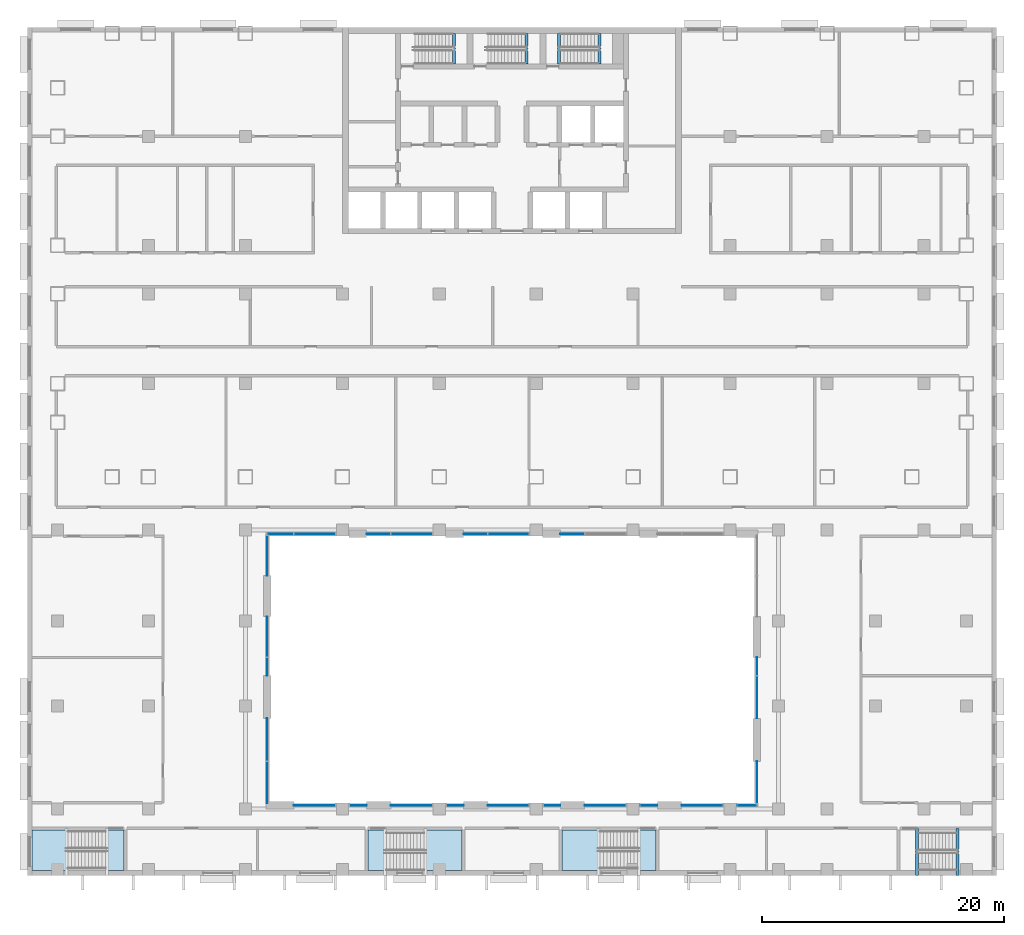
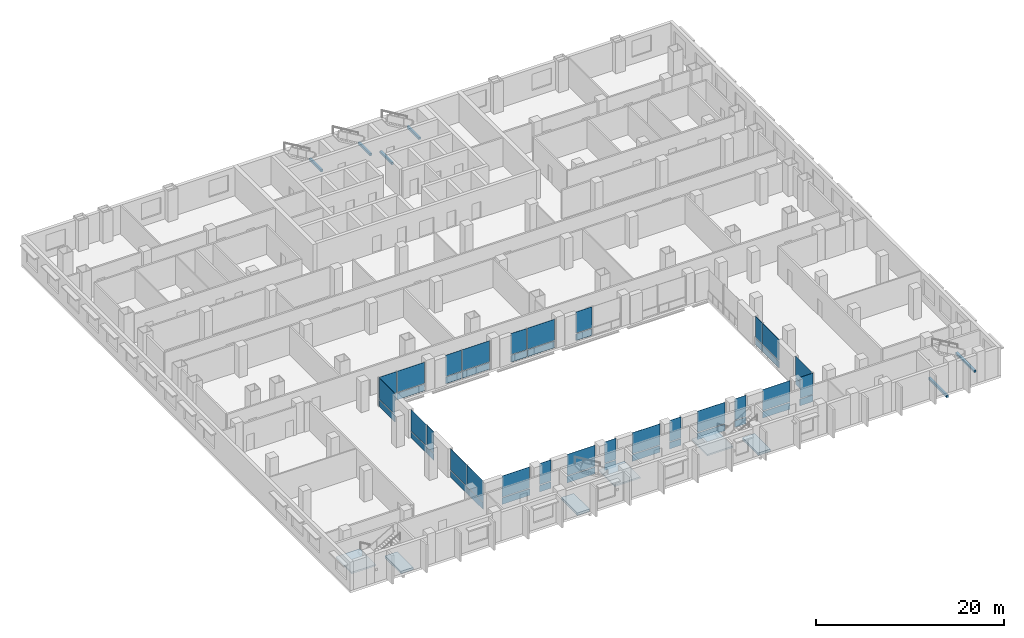
# One storey, part 5 of 25: 50 plates, 6 beams, 6 slabs, 22 elements without a shape of their own.
"""IFC4 building model written with IfcOpenShell, lengths in metres."""

import ifcopenshell
import ifcopenshell.guid

model = None  # the IFC model being written
_history = None  # IfcOwnerHistory: only IFC2X3 demands one
_inside = {}  # id of a spatial element -> (the spatial element, [elements in it])
_under = {}  # id of a project, library or spatial element -> (it, [spatial elements below it])
_declared = {}  # id of a project -> (the project, [libraries it declares])
_typed = {}  # id of a type object -> (the type object, [elements of that type])
_made_of = {}  # id of a material, layer set ... -> (it, [elements and type objects made of it])


def new_model(schema):
    """Start an empty IFC model of exactly this schema.

    Asked for "IFC4X3", IfcOpenShell would pick the latest addendum, in which some entities
    have other attributes; the version numbers below select the first issue.
    IFC2X3 requires an IfcOwnerHistory on every rooted entity: one is made here for all.
    """
    global model, _history
    if schema == "IFC4X3":
        model = ifcopenshell.file(schema_version=(4, 3, 0, 0))
    else:
        model = ifcopenshell.file(schema=schema)
    _inside.clear()
    _under.clear()
    _declared.clear()
    _typed.clear()
    _made_of.clear()
    _history = None
    if model.schema == "IFC2X3":
        org = make("IfcOrganization", Name="unknown")
        user = make(
            "IfcPersonAndOrganization",
            ThePerson=make("IfcPerson", FamilyName="unknown"),
            TheOrganization=org,
        )
        app = make(
            "IfcApplication",
            ApplicationDeveloper=org,
            Version="unknown",
            ApplicationFullName="unknown",
            ApplicationIdentifier="unknown",
        )
        _history = make(
            "IfcOwnerHistory",
            OwningUser=user,
            OwningApplication=app,
            ChangeAction="ADDED",
            CreationDate=0,
        )
    return model


def make(cls, **values):
    """One entity of the class cls with the attributes given. An attribute that is None is left unset."""
    return model.create_entity(
        cls, **{name: value for name, value in values.items() if value is not None}
    )


def rooted(cls, **values):
    """An entity with a GlobalId (a new one), such as an element, a storey or a relation."""
    return make(cls, GlobalId=ifcopenshell.guid.new(), OwnerHistory=_history, **values)


def si_unit(unit_type, name, prefix=None):
    """IfcSIUnit, for example si_unit("LENGTHUNIT", "METRE", prefix="MILLI")."""
    return make("IfcSIUnit", UnitType=unit_type, Prefix=prefix, Name=name)


def assignment(units):
    """IfcUnitAssignment: the units of a project."""
    return None if units is None else make("IfcUnitAssignment", Units=units)


def point(xyz):
    """IfcCartesianPoint."""
    return None if xyz is None else make("IfcCartesianPoint", Coordinates=xyz)


def direction(xyz):
    """IfcDirection."""
    return None if xyz is None else make("IfcDirection", DirectionRatios=xyz)


def frame(location, z_axis=None, x_axis=None):
    """IfcAxis2Placement3D, a coordinate frame: its origin and axes. An axis left out is left unset."""
    return make(
        "IfcAxis2Placement3D",
        Location=point(location),
        Axis=direction(z_axis),
        RefDirection=direction(x_axis),
    )


def frame_2d(location, x_axis=None):
    """IfcAxis2Placement2D, a coordinate frame in the plane: its origin and x axis."""
    return make(
        "IfcAxis2Placement2D", Location=point(location), RefDirection=direction(x_axis)
    )


def origin():
    """The frame at (0, 0, 0) with its axes left unset."""
    return frame((0.0, 0.0, 0.0))


def origin_2d():
    """The frame at (0, 0) in the plane with its x axis left unset."""
    return frame_2d((0.0, 0.0))


def place(relative_to, where):
    """IfcLocalPlacement: puts the frame where relative to a parent placement (None: the world)."""
    return make(
        "IfcLocalPlacement", PlacementRelTo=relative_to, RelativePlacement=where
    )


def context(
    kind, dimensions, precision=None, world=None, true_north=None, identifier=None
):
    """IfcGeometricRepresentationContext, for example the 3D "Model" context."""
    return make(
        "IfcGeometricRepresentationContext",
        ContextIdentifier=identifier,
        ContextType=kind,
        CoordinateSpaceDimension=dimensions,
        Precision=precision,
        WorldCoordinateSystem=world,
        TrueNorth=true_north,
    )


def subcontext(parent, identifier, kind, view, scale=None):
    """IfcGeometricRepresentationSubContext, for example "Body" below "Model"."""
    return make(
        "IfcGeometricRepresentationSubContext",
        ContextIdentifier=identifier,
        ContextType=kind,
        ParentContext=parent,
        TargetScale=scale,
        TargetView=view,
    )


def project(units=None, contexts=None):
    """IfcProject with its units and contexts."""
    return rooted(
        "IfcProject",
        Name="project",
        RepresentationContexts=contexts,
        UnitsInContext=assignment(units),
    )


def spatial(cls, under=None, at=None, **own):
    """A site, building, storey or space (cls), placed at a placement, below another one or the project."""
    s = rooted(cls, ObjectPlacement=at, **own)
    if under is not None:
        _under.setdefault(under.id(), (under, []))[1].append(s)
    return s


def polyline(points):
    """IfcPolyline through the points."""
    return make("IfcPolyline", Points=[point(p) for p in points])


def profile(cls, at=None, kind="AREA", **sizes):
    """A parametric profile (cls). Its sizes go by their IFC names, for example OverallWidth=200.0."""
    return make(cls, ProfileType=kind, Position=at, **sizes)


def rectangle(**sizes):
    """IfcRectangleProfileDef."""
    return profile("IfcRectangleProfileDef", **sizes)


def outline(outer, holes=None, kind="AREA"):
    """IfcArbitraryClosedProfileDef: a profile drawn as a closed curve; with holes, ...WithVoids."""
    if holes is None:
        return make("IfcArbitraryClosedProfileDef", ProfileType=kind, OuterCurve=outer)
    return make(
        "IfcArbitraryProfileDefWithVoids",
        ProfileType=kind,
        OuterCurve=outer,
        InnerCurves=holes,
    )


def extrude(swept, where, along, depth):
    """IfcExtrudedAreaSolid: the profile swept, set in the frame where, extruded along a direction by depth."""
    return make(
        "IfcExtrudedAreaSolid",
        SweptArea=swept,
        Position=where,
        ExtrudedDirection=direction(along),
        Depth=depth,
    )


def shape(context_of_items, identifier, shape_type, items):
    """IfcShapeRepresentation: the items that make up one representation, for example the "Body"."""
    return make(
        "IfcShapeRepresentation",
        ContextOfItems=context_of_items,
        RepresentationIdentifier=identifier,
        RepresentationType=shape_type,
        Items=items,
    )


def material(Name=None, Category=None):
    """IfcMaterial."""
    return make("IfcMaterial", Name=Name, Category=Category)


def layer(
    of_material, thickness, ventilated=None, Name=None, Category=None, Priority=None
):
    """IfcMaterialLayer: one layer of a wall or slab, of a material (None: an air gap)."""
    return make(
        "IfcMaterialLayer",
        Material=of_material,
        LayerThickness=thickness,
        IsVentilated=ventilated,
        Name=Name,
        Category=Category,
        Priority=Priority,
    )


def layer_set(layers, Name=None):
    """IfcMaterialLayerSet."""
    return make("IfcMaterialLayerSet", MaterialLayers=layers, LayerSetName=Name)


def material_profile(
    of_material, cross_section, Name=None, Category=None, Priority=None
):
    """IfcMaterialProfile: a cross section and its material."""
    return make(
        "IfcMaterialProfile",
        Name=Name,
        Material=of_material,
        Profile=cross_section,
        Priority=Priority,
        Category=Category,
    )


def profile_set(profiles, Name=None, composite=None):
    """IfcMaterialProfileSet."""
    return make(
        "IfcMaterialProfileSet",
        Name=Name,
        MaterialProfiles=profiles,
        CompositeProfile=composite,
    )


def made_of(thing, what):
    """Note that an element or type object is made of a material, layer set ...; save() writes the relation."""
    if what is not None:
        _made_of.setdefault(what.id(), (what, []))[1].append(thing)
    return thing


def type_object(cls, material=None, **own):
    """A type object (cls), such as IfcWallType, which elements share."""
    return made_of(rooted(cls, **own), material)


def element(
    cls,
    number,
    at=None,
    inside=None,
    cuts=None,
    type_object=None,
    material=None,
    context=None,
    identifier="Body",
    shape_type=None,
    held_by="IfcProductDefinitionShape",
    body=None,
    shapes=None,
    **own,
):
    """One element of the class cls, such as IfcWall. Its Tag is "e" and its number.

    at: its placement. inside: the storey or other place that contains it. cuts: it is an
    opening in that element (IfcRelVoidsElement). A single representation is given by context,
    identifier, shape_type and body (its items); several are given by shapes. held_by: the class
    of the entity that holds the representations. save() writes the other relations.
    """
    e = rooted(cls, Tag="e%d" % number, ObjectPlacement=at, **own)
    if body is not None:
        shapes = [shape(context, identifier, shape_type, body)]
    if shapes is not None:
        e.Representation = make(held_by, Representations=shapes)
    if inside is not None:
        _inside.setdefault(inside.id(), (inside, []))[1].append(e)
    if cuts is not None:
        rooted(
            "IfcRelVoidsElement", RelatingBuildingElement=cuts, RelatedOpeningElement=e
        )
    if type_object is not None:
        _typed.setdefault(type_object.id(), (type_object, []))[1].append(e)
    return made_of(e, material)


def aggregate(whole, parts):
    """IfcRelAggregates: a whole, such as a stair, and the parts it consists of."""
    return rooted("IfcRelAggregates", RelatingObject=whole, RelatedObjects=parts)


def save(model, path):
    """Write the relations noted so far, then the file.

    IfcRelAggregates (storeys below a building ...), IfcRelContainedInSpatialStructure (elements
    in a storey), IfcRelDefinesByType, IfcRelAssociatesMaterial and IfcRelDeclares: one each for
    every whole, place, type object, material and project.
    """
    for whole, parts in _under.values():
        aggregate(whole, parts)
    for where, things in _inside.values():
        rooted(
            "IfcRelContainedInSpatialStructure",
            RelatedElements=things,
            RelatingStructure=where,
        )
    for kind, things in _typed.values():
        rooted("IfcRelDefinesByType", RelatedObjects=things, RelatingType=kind)
    for what, things in _made_of.values():
        rooted("IfcRelAssociatesMaterial", RelatedObjects=things, RelatingMaterial=what)
    for by, libraries in _declared.values():
        rooted("IfcRelDeclares", RelatingContext=by, RelatedDefinitions=libraries)
    model.write(path)


model = new_model("IFC4")

# Units and contexts
model_context = context("Model", 3, precision=1e-05, world=origin(), true_north=direction((0.0, 1.0)))
body_context = subcontext(model_context, "Body", "Model", "MODEL_VIEW")
ifc_project = project(units=[si_unit("LENGTHUNIT", "METRE"), si_unit("AREAUNIT", "SQUARE_METRE"), si_unit("VOLUMEUNIT", "CUBIC_METRE"), si_unit("PLANEANGLEUNIT", "RADIAN"), si_unit("MASSUNIT", "GRAM", prefix="KILO")], contexts=[model_context])

# Site, building, storey
site_placement = place(None, origin())
site = spatial("IfcSite", under=ifc_project, at=site_placement, CompositionType="ELEMENT")
building_placement = place(site_placement, origin())
building = spatial("IfcBuilding", under=site, at=building_placement, Name="Vidyagriha Tower", CompositionType="ELEMENT")
storey_placement = place(building_placement, frame((0.0, 0.0, 18.0)))
storey = spatial("IfcBuildingStorey", under=building, at=storey_placement, Name="L04", CompositionType="ELEMENT", Elevation=18.0)

# Beams
ifc_material_1 = material(Name="Concrete C40/50", Category="concrete")
ifc_material_profile = material_profile(ifc_material_1, rectangle(XDim=0.25, YDim=0.300048828125, at=origin_2d()), Name="Stair landing bearing beam 250x300")
ifc_profile_set = profile_set([ifc_material_profile], Name="Concrete C40/50")
beam_type = type_object("IfcBeamType", Name="Stair landing bearing beam 250x300", PredefinedType="BEAM", material=ifc_profile_set)
for number, where, z_axis, x_axis, name in (
    (1, (3.875, 16.949951171875, -0.449951171875), (0.0, 1.0, 0.0), (-1.0, 0.0, 0.0), "ST3 floor landing bearing beam L04"),
    (2, (-4.794921875, 16.949951171875, 1.64990234375), (0.0, 1.0, 0.0), (-1.0, 0.0, 0.0), "ST1 landing bearing beam L04"),
    (3, (1.205078125, 16.949951171875, 1.64990234375), (0.0, 1.0, 0.0), (-1.0, 0.0, 0.0), "ST2 landing bearing beam L04"),
    (4, (7.205078125, 16.949951171875, 1.64990234375), (0.0, 1.0, 0.0), (-1.0, 0.0, 0.0), "ST3 landing bearing beam L04"),
):
    element("IfcBeam", number, at=place(storey_placement, frame(where, z_axis=z_axis, x_axis=x_axis)), inside=storey, type_object=beam_type, Name=name, PredefinedType="BEAM", context=body_context, shape_type="SweptSolid", body=[
        extrude(rectangle(XDim=0.25, YDim=0.300048828125, at=origin_2d()), origin(), (0.0, 0.0, 1.0), 2.550048828125),
    ])
for number, where, z_axis, x_axis, name in (
    (5, (33.419921875, -50.0, -0.449951171875), (0.0, 1.0, 0.0), (-1.0, 0.0, 0.0), "PS2 floor landing bearing beam L04"),
    (6, (36.760009765625, -50.0, 1.64990234375), (0.0, 1.0, 0.0), (-1.0, 0.0, 0.0), "PS2 landing bearing beam L04"),
):
    element("IfcBeam", number, at=place(storey_placement, frame(where, z_axis=z_axis, x_axis=x_axis)), inside=storey, type_object=beam_type, Name=name, PredefinedType="BEAM", context=body_context, shape_type="SweptSolid", body=[
        extrude(rectangle(XDim=0.25, YDim=0.300048828125, at=origin_2d()), origin(), (0.0, 0.0, 1.0), 3.89990234375),
    ])

# Curtain wall, plate
ifc_material_2 = material(Name="Aluminium and glass curtain wall", Category="aluminium")
curtain_wall_type = type_object("IfcCurtainWallType", Name="Atrium screen curtain wall", PredefinedType="USERDEFINED", material=ifc_material_2)
curtain_wall_1_placement = place(storey_placement, origin())
curtain_wall_1 = element("IfcCurtainWall", 7, at=curtain_wall_1_placement, inside=storey, type_object=curtain_wall_type, Name="CW6 atrium screen", ObjectType="UNITISED", PredefinedType="USERDEFINED")
ifc_material_3 = material(Name="Glass dark ceramic-fritted spandrel", Category="glass")
ifc_layer_1 = layer(ifc_material_3, 0.0400390625)
ifc_layer_set_1 = layer_set([ifc_layer_1], Name="Glass dark ceramic-fritted spandrel")
plate_type_1 = type_object("IfcPlateType", Name="Ceramic-fritted spandrel panel", PredefinedType="CURTAIN_PANEL", material=ifc_layer_set_1)
plate_1_placement = place(storey_placement, frame((19.405029296875, -44.199951171875, 0.0), z_axis=(0.0, 0.0, 1.0), x_axis=(-1.0, 0.0, 0.0)))
plate_1 = element("IfcPlate", 8, at=plate_1_placement, type_object=plate_type_1, Name="CW6 panel 1.1", PredefinedType="CURTAIN_PANEL", context=body_context, shape_type="SweptSolid", body=[
    extrude(rectangle(XDim=1.610107421875, YDim=0.0400390625, at=origin_2d()), origin(), (0.0, 0.0, 1.0), 0.85009765625),
])

curtain_wall_2_placement = place(storey_placement, origin())
curtain_wall_2 = element("IfcCurtainWall", 9, at=curtain_wall_2_placement, inside=storey, type_object=curtain_wall_type, Name="CW6 atrium screen", ObjectType="UNITISED", PredefinedType="USERDEFINED")
plate_2_placement = place(storey_placement, frame((15.699951171875, -44.199951171875, 0.0), z_axis=(0.0, 0.0, 1.0), x_axis=(-1.0, 0.0, 0.0)))
plate_2 = element("IfcPlate", 10, at=plate_2_placement, type_object=plate_type_1, Name="CW6 panel 1.1", PredefinedType="CURTAIN_PANEL", context=body_context, shape_type="SweptSolid", body=[
    extrude(rectangle(XDim=3.39990234375, YDim=0.0400390625, at=origin_2d()), origin(), (0.0, 0.0, 1.0), 0.85009765625),
])

curtain_wall_3_placement = place(storey_placement, origin())
curtain_wall_3 = element("IfcCurtainWall", 11, at=curtain_wall_3_placement, inside=storey, type_object=curtain_wall_type, Name="CW6 atrium screen", ObjectType="UNITISED", PredefinedType="USERDEFINED")
plate_3_placement = place(storey_placement, frame((11.300048828125, -44.199951171875, 0.0), z_axis=(0.0, 0.0, 1.0), x_axis=(-1.0, 0.0, 0.0)))
plate_3 = element("IfcPlate", 12, at=plate_3_placement, type_object=plate_type_1, Name="CW6 panel 1.1", PredefinedType="CURTAIN_PANEL", context=body_context, shape_type="SweptSolid", body=[
    extrude(rectangle(XDim=1.39990234375, YDim=0.0400390625, at=origin_2d()), origin(), (0.0, 0.0, 1.0), 0.85009765625),
])

curtain_wall_4_placement = place(storey_placement, origin())
curtain_wall_4 = element("IfcCurtainWall", 13, at=curtain_wall_4_placement, inside=storey, type_object=curtain_wall_type, Name="CW6 atrium screen", ObjectType="UNITISED", PredefinedType="USERDEFINED")
plate_4_placement = place(storey_placement, frame((7.699951171875, -44.199951171875, 0.0), z_axis=(0.0, 0.0, 1.0), x_axis=(-1.0, 0.0, 0.0)))
plate_4 = element("IfcPlate", 14, at=plate_4_placement, type_object=plate_type_1, Name="CW6 panel 1.1", PredefinedType="CURTAIN_PANEL", context=body_context, shape_type="SweptSolid", body=[
    extrude(rectangle(XDim=3.39990234375, YDim=0.0400390625, at=origin_2d()), origin(), (0.0, 0.0, 1.0), 0.85009765625),
])

curtain_wall_5_placement = place(storey_placement, origin())
curtain_wall_5 = element("IfcCurtainWall", 15, at=curtain_wall_5_placement, inside=storey, type_object=curtain_wall_type, Name="CW6 atrium screen", ObjectType="UNITISED", PredefinedType="USERDEFINED")
plate_5_placement = place(storey_placement, frame((3.300048828125, -44.199951171875, 0.0), z_axis=(0.0, 0.0, 1.0), x_axis=(-1.0, 0.0, 0.0)))
plate_5 = element("IfcPlate", 16, at=plate_5_placement, type_object=plate_type_1, Name="CW6 panel 1.1", PredefinedType="CURTAIN_PANEL", context=body_context, shape_type="SweptSolid", body=[
    extrude(rectangle(XDim=1.39990234375, YDim=0.0400390625, at=origin_2d()), origin(), (0.0, 0.0, 1.0), 0.85009765625),
])

curtain_wall_6_placement = place(storey_placement, origin())
curtain_wall_6 = element("IfcCurtainWall", 17, at=curtain_wall_6_placement, inside=storey, type_object=curtain_wall_type, Name="CW6 atrium screen", ObjectType="UNITISED", PredefinedType="USERDEFINED")
plate_6_placement = place(storey_placement, frame((-0.300048828125, -44.199951171875, 0.0), z_axis=(0.0, 0.0, 1.0), x_axis=(-1.0, 0.0, 0.0)))
plate_6 = element("IfcPlate", 18, at=plate_6_placement, type_object=plate_type_1, Name="CW6 panel 1.1", PredefinedType="CURTAIN_PANEL", context=body_context, shape_type="SweptSolid", body=[
    extrude(rectangle(XDim=3.39990234375, YDim=0.0400390625, at=origin_2d()), origin(), (0.0, 0.0, 1.0), 0.85009765625),
])

curtain_wall_7_placement = place(storey_placement, origin())
curtain_wall_7 = element("IfcCurtainWall", 19, at=curtain_wall_7_placement, inside=storey, type_object=curtain_wall_type, Name="CW6 atrium screen", ObjectType="UNITISED", PredefinedType="USERDEFINED")
plate_7_placement = place(storey_placement, frame((-4.699951171875, -44.199951171875, 0.0), z_axis=(0.0, 0.0, 1.0), x_axis=(-1.0, 0.0, 0.0)))
plate_7 = element("IfcPlate", 20, at=plate_7_placement, type_object=plate_type_1, Name="CW6 panel 1.1", PredefinedType="CURTAIN_PANEL", context=body_context, shape_type="SweptSolid", body=[
    extrude(rectangle(XDim=1.39990234375, YDim=0.0400390625, at=origin_2d()), origin(), (0.0, 0.0, 1.0), 0.85009765625),
])

curtain_wall_8_placement = place(storey_placement, origin())
curtain_wall_8 = element("IfcCurtainWall", 21, at=curtain_wall_8_placement, inside=storey, type_object=curtain_wall_type, Name="CW6 atrium screen", ObjectType="UNITISED", PredefinedType="USERDEFINED")
plate_8_placement = place(storey_placement, frame((-8.300048828125, -44.199951171875, 0.0), z_axis=(0.0, 0.0, 1.0), x_axis=(-1.0, 0.0, 0.0)))
plate_8 = element("IfcPlate", 22, at=plate_8_placement, type_object=plate_type_1, Name="CW6 panel 1.1", PredefinedType="CURTAIN_PANEL", context=body_context, shape_type="SweptSolid", body=[
    extrude(rectangle(XDim=3.39990234375, YDim=0.0400390625, at=origin_2d()), origin(), (0.0, 0.0, 1.0), 0.85009765625),
])

curtain_wall_9_placement = place(storey_placement, origin())
curtain_wall_9 = element("IfcCurtainWall", 23, at=curtain_wall_9_placement, inside=storey, type_object=curtain_wall_type, Name="CW6 atrium screen", ObjectType="UNITISED", PredefinedType="USERDEFINED")
plate_9_placement = place(storey_placement, frame((-12.699951171875, -44.199951171875, 0.0), z_axis=(0.0, 0.0, 1.0), x_axis=(-1.0, 0.0, 0.0)))
plate_9 = element("IfcPlate", 24, at=plate_9_placement, type_object=plate_type_1, Name="CW6 panel 1.1", PredefinedType="CURTAIN_PANEL", context=body_context, shape_type="SweptSolid", body=[
    extrude(rectangle(XDim=1.39990234375, YDim=0.0400390625, at=origin_2d()), origin(), (0.0, 0.0, 1.0), 0.85009765625),
])

curtain_wall_10_placement = place(storey_placement, origin())
curtain_wall_10 = element("IfcCurtainWall", 25, at=curtain_wall_10_placement, inside=storey, type_object=curtain_wall_type, Name="CW6 atrium screen", ObjectType="UNITISED", PredefinedType="USERDEFINED")
plate_10_placement = place(storey_placement, frame((-16.300048828125, -44.199951171875, 0.0), z_axis=(0.0, 0.0, 1.0), x_axis=(-1.0, 0.0, 0.0)))
plate_10 = element("IfcPlate", 26, at=plate_10_placement, type_object=plate_type_1, Name="CW6 panel 1.1", PredefinedType="CURTAIN_PANEL", context=body_context, shape_type="SweptSolid", body=[
    extrude(rectangle(XDim=3.39990234375, YDim=0.0400390625, at=origin_2d()), origin(), (0.0, 0.0, 1.0), 0.85009765625),
])

# Curtain wall, plates
curtain_wall_11_placement = place(storey_placement, origin())
curtain_wall_11 = element("IfcCurtainWall", 27, at=curtain_wall_11_placement, inside=storey, type_object=curtain_wall_type, Name="CW6 atrium screen", ObjectType="UNITISED", PredefinedType="USERDEFINED")
plate_11_placement = place(storey_placement, frame((-20.199951171875, -42.33251953125, 0.0), z_axis=(0.0, 0.0, 1.0), x_axis=(0.0, 1.0, 0.0)))
plate_11 = element("IfcPlate", 28, at=plate_11_placement, type_object=plate_type_1, Name="CW6 panel 1.1", PredefinedType="CURTAIN_PANEL", context=body_context, shape_type="SweptSolid", body=[
    extrude(rectangle(XDim=3.43505859375, YDim=0.0400390625, at=origin_2d()), origin(), (0.0, 0.0, 1.0), 0.85009765625),
])
plate_12_placement = place(storey_placement, frame((-20.199951171875, -38.79248046875, 0.0), z_axis=(0.0, 0.0, 1.0), x_axis=(0.0, 1.0, 0.0)))
plate_12 = element("IfcPlate", 29, at=plate_12_placement, type_object=plate_type_1, Name="CW6 panel 2.1", PredefinedType="CURTAIN_PANEL", context=body_context, shape_type="SweptSolid", body=[
    extrude(rectangle(XDim=3.5048828125, YDim=0.0400390625, at=origin_2d()), origin(), (0.0, 0.0, 1.0), 0.85009765625),
])

curtain_wall_12_placement = place(storey_placement, origin())
curtain_wall_12 = element("IfcCurtainWall", 30, at=curtain_wall_12_placement, inside=storey, type_object=curtain_wall_type, Name="CW6 atrium screen", ObjectType="UNITISED", PredefinedType="USERDEFINED")
plate_13_placement = place(storey_placement, frame((-20.199951171875, -32.767578125, 0.0), z_axis=(0.0, 0.0, 1.0), x_axis=(0.0, 1.0, 0.0)))
plate_13 = element("IfcPlate", 31, at=plate_13_placement, type_object=plate_type_1, Name="CW6 panel 1.1", PredefinedType="CURTAIN_PANEL", context=body_context, shape_type="SweptSolid", body=[
    extrude(rectangle(XDim=1.465087890625, YDim=0.0400390625, at=origin_2d()), origin(), (0.0, 0.0, 1.0), 0.85009765625),
])
plate_14_placement = place(storey_placement, frame((-20.199951171875, -30.2958984375, 0.0), z_axis=(0.0, 0.0, 1.0), x_axis=(0.0, 1.0, 0.0)))
plate_14 = element("IfcPlate", 32, at=plate_14_placement, type_object=plate_type_1, Name="CW6 panel 2.1", PredefinedType="CURTAIN_PANEL", context=body_context, shape_type="SweptSolid", body=[
    extrude(rectangle(XDim=3.33837890625, YDim=0.0400390625, at=origin_2d()), origin(), (0.0, 0.0, 1.0), 0.85009765625),
])

# Curtain wall, plate
curtain_wall_13_placement = place(storey_placement, origin())
curtain_wall_13 = element("IfcCurtainWall", 33, at=curtain_wall_13_placement, inside=storey, type_object=curtain_wall_type, Name="CW6 atrium screen", ObjectType="UNITISED", PredefinedType="USERDEFINED")
plate_15_placement = place(storey_placement, frame((-20.199951171875, -23.6015625, 0.0), z_axis=(0.0, 0.0, 1.0), x_axis=(0.0, 1.0, 0.0)))
plate_15 = element("IfcPlate", 34, at=plate_15_placement, type_object=plate_type_1, Name="CW6 panel 1.1", PredefinedType="CURTAIN_PANEL", context=body_context, shape_type="SweptSolid", body=[
    extrude(rectangle(XDim=3.30322265625, YDim=0.0400390625, at=origin_2d()), origin(), (0.0, 0.0, 1.0), 0.85009765625),
])

# Curtain wall, plates
curtain_wall_14_placement = place(storey_placement, origin())
curtain_wall_14 = element("IfcCurtainWall", 35, at=curtain_wall_14_placement, inside=storey, type_object=curtain_wall_type, Name="CW6 atrium screen", ObjectType="UNITISED", PredefinedType="USERDEFINED")
plate_16_placement = place(storey_placement, frame((-19.12255859375, -21.800048828125, 0.0)))
plate_16 = element("IfcPlate", 36, at=plate_16_placement, type_object=plate_type_1, Name="CW6 panel 1.1", PredefinedType="CURTAIN_PANEL", context=body_context, shape_type="SweptSolid", body=[
    extrude(rectangle(XDim=2.175048828125, YDim=0.0400390625, at=origin_2d()), origin(), (0.0, 0.0, 1.0), 0.85009765625),
])
plate_17_placement = place(storey_placement, frame((-16.282470703125, -21.800048828125, 0.0)))
plate_17 = element("IfcPlate", 37, at=plate_17_placement, type_object=plate_type_1, Name="CW6 panel 2.1", PredefinedType="CURTAIN_PANEL", context=body_context, shape_type="SweptSolid", body=[
    extrude(rectangle(XDim=3.364990234375, YDim=0.0400390625, at=origin_2d()), origin(), (0.0, 0.0, 1.0), 0.85009765625),
])

curtain_wall_15_placement = place(storey_placement, origin())
curtain_wall_15 = element("IfcCurtainWall", 38, at=curtain_wall_15_placement, inside=storey, type_object=curtain_wall_type, Name="CW6 atrium screen", ObjectType="UNITISED", PredefinedType="USERDEFINED")
plate_18_placement = place(storey_placement, frame((-11.017578125, -21.800048828125, 0.0)))
plate_18 = element("IfcPlate", 39, at=plate_18_placement, type_object=plate_type_1, Name="CW6 panel 1.1", PredefinedType="CURTAIN_PANEL", context=body_context, shape_type="SweptSolid", body=[
    extrude(rectangle(XDim=1.965087890625, YDim=0.0400390625, at=origin_2d()), origin(), (0.0, 0.0, 1.0), 0.85009765625),
])
plate_19_placement = place(storey_placement, frame((-8.282470703125, -21.800048828125, 0.0)))
plate_19 = element("IfcPlate", 40, at=plate_19_placement, type_object=plate_type_1, Name="CW6 panel 2.1", PredefinedType="CURTAIN_PANEL", context=body_context, shape_type="SweptSolid", body=[
    extrude(rectangle(XDim=3.364990234375, YDim=0.0400390625, at=origin_2d()), origin(), (0.0, 0.0, 1.0), 0.85009765625),
])

curtain_wall_16_placement = place(storey_placement, origin())
curtain_wall_16 = element("IfcCurtainWall", 41, at=curtain_wall_16_placement, inside=storey, type_object=curtain_wall_type, Name="CW6 atrium screen", ObjectType="UNITISED", PredefinedType="USERDEFINED")
plate_20_placement = place(storey_placement, frame((-3.017578125, -21.800048828125, 0.0)))
plate_20 = element("IfcPlate", 42, at=plate_20_placement, type_object=plate_type_1, Name="CW6 panel 1.1", PredefinedType="CURTAIN_PANEL", context=body_context, shape_type="SweptSolid", body=[
    extrude(rectangle(XDim=1.965087890625, YDim=0.0400390625, at=origin_2d()), origin(), (0.0, 0.0, 1.0), 0.85009765625),
])
plate_21_placement = place(storey_placement, frame((-0.282470703125, -21.800048828125, 0.0)))
plate_21 = element("IfcPlate", 43, at=plate_21_placement, type_object=plate_type_1, Name="CW6 panel 2.1", PredefinedType="CURTAIN_PANEL", context=body_context, shape_type="SweptSolid", body=[
    extrude(rectangle(XDim=3.364990234375, YDim=0.0400390625, at=origin_2d()), origin(), (0.0, 0.0, 1.0), 0.85009765625),
])

# Curtain wall, plate
curtain_wall_17_placement = place(storey_placement, origin())
curtain_wall_17 = element("IfcCurtainWall", 44, at=curtain_wall_17_placement, inside=storey, type_object=curtain_wall_type, Name="CW6 atrium screen", ObjectType="UNITISED", PredefinedType="USERDEFINED")
plate_22_placement = place(storey_placement, frame((4.982421875, -21.800048828125, 0.0)))
plate_22 = element("IfcPlate", 45, at=plate_22_placement, type_object=plate_type_1, Name="CW6 panel 1.1", PredefinedType="CURTAIN_PANEL", context=body_context, shape_type="SweptSolid", body=[
    extrude(rectangle(XDim=1.965087890625, YDim=0.0400390625, at=origin_2d()), origin(), (0.0, 0.0, 1.0), 0.85009765625),
])

# Curtain wall, plates
curtain_wall_18_placement = place(storey_placement, origin())
curtain_wall_18 = element("IfcCurtainWall", 46, at=curtain_wall_18_placement, inside=storey, type_object=curtain_wall_type, Name="CW6 atrium screen", ObjectType="UNITISED", PredefinedType="USERDEFINED")
plate_23_placement = place(storey_placement, frame((20.199951171875, -32.732421875, 0.0), z_axis=(0.0, 0.0, 1.0), x_axis=(0.0, -1.0, 0.0)))
plate_23 = element("IfcPlate", 47, at=plate_23_placement, type_object=plate_type_1, Name="CW6 panel 1.1", PredefinedType="CURTAIN_PANEL", context=body_context, shape_type="SweptSolid", body=[
    extrude(rectangle(XDim=1.465087890625, YDim=0.0400390625, at=origin_2d()), origin(), (0.0, 0.0, 1.0), 0.85009765625),
])
plate_24_placement = place(storey_placement, frame((20.199951171875, -35.28759765625, 0.0), z_axis=(0.0, 0.0, 1.0), x_axis=(0.0, -1.0, 0.0)))
plate_24 = element("IfcPlate", 48, at=plate_24_placement, type_object=plate_type_1, Name="CW6 panel 2.1", PredefinedType="CURTAIN_PANEL", context=body_context, shape_type="SweptSolid", body=[
    extrude(rectangle(XDim=3.5048828125, YDim=0.0400390625, at=origin_2d()), origin(), (0.0, 0.0, 1.0), 0.85009765625),
])

# Curtain wall, plate
curtain_wall_19_placement = place(storey_placement, origin())
curtain_wall_19 = element("IfcCurtainWall", 49, at=curtain_wall_19_placement, inside=storey, type_object=curtain_wall_type, Name="CW6 atrium screen", ObjectType="UNITISED", PredefinedType="USERDEFINED")
plate_25_placement = place(storey_placement, frame((20.199951171875, -42.31494140625, 0.0), z_axis=(0.0, 0.0, 1.0), x_axis=(0.0, -1.0, 0.0)))
plate_25 = element("IfcPlate", 50, at=plate_25_placement, type_object=plate_type_1, Name="CW6 panel 1.1", PredefinedType="CURTAIN_PANEL", context=body_context, shape_type="SweptSolid", body=[
    extrude(rectangle(XDim=3.469970703125, YDim=0.0400390625, at=origin_2d()), origin(), (0.0, 0.0, 1.0), 0.85009765625),
])

# Plate
ifc_material_4 = material(Name="Glass dark ceramic-fritted", Category="glass")
ifc_layer_2 = layer(ifc_material_4, 0.028076171875)
ifc_layer_set_2 = layer_set([ifc_layer_2], Name="Glass dark ceramic-fritted")
plate_type_2 = type_object("IfcPlateType", Name="Dark ceramic-fritted vision glass panel", PredefinedType="CURTAIN_PANEL", material=ifc_layer_set_2)
plate_26_placement = place(storey_placement, frame((19.405029296875, -44.199951171875, 0.949951171875), z_axis=(0.0, 0.0, 1.0), x_axis=(-1.0, 0.0, 0.0)))
plate_26 = element("IfcPlate", 51, at=plate_26_placement, type_object=plate_type_2, Name="CW6 panel 1.2", PredefinedType="CURTAIN_PANEL", context=body_context, shape_type="SweptSolid", body=[
    extrude(rectangle(XDim=1.610107421875, YDim=0.028076171875, at=origin_2d()), origin(), (0.0, 0.0, 1.0), 2.75),
])

aggregate(curtain_wall_1, [plate_1, plate_26])

plate_27_placement = place(storey_placement, frame((15.699951171875, -44.199951171875, 0.949951171875), z_axis=(0.0, 0.0, 1.0), x_axis=(-1.0, 0.0, 0.0)))
plate_27 = element("IfcPlate", 52, at=plate_27_placement, type_object=plate_type_2, Name="CW6 panel 1.2", PredefinedType="CURTAIN_PANEL", context=body_context, shape_type="SweptSolid", body=[
    extrude(rectangle(XDim=3.39990234375, YDim=0.028076171875, at=origin_2d()), origin(), (0.0, 0.0, 1.0), 2.75),
])

aggregate(curtain_wall_2, [plate_2, plate_27])

plate_28_placement = place(storey_placement, frame((11.300048828125, -44.199951171875, 0.949951171875), z_axis=(0.0, 0.0, 1.0), x_axis=(-1.0, 0.0, 0.0)))
plate_28 = element("IfcPlate", 53, at=plate_28_placement, type_object=plate_type_2, Name="CW6 panel 1.2", PredefinedType="CURTAIN_PANEL", context=body_context, shape_type="SweptSolid", body=[
    extrude(rectangle(XDim=1.39990234375, YDim=0.028076171875, at=origin_2d()), origin(), (0.0, 0.0, 1.0), 2.75),
])

aggregate(curtain_wall_3, [plate_3, plate_28])

plate_29_placement = place(storey_placement, frame((7.699951171875, -44.199951171875, 0.949951171875), z_axis=(0.0, 0.0, 1.0), x_axis=(-1.0, 0.0, 0.0)))
plate_29 = element("IfcPlate", 54, at=plate_29_placement, type_object=plate_type_2, Name="CW6 panel 1.2", PredefinedType="CURTAIN_PANEL", context=body_context, shape_type="SweptSolid", body=[
    extrude(rectangle(XDim=3.39990234375, YDim=0.028076171875, at=origin_2d()), origin(), (0.0, 0.0, 1.0), 2.75),
])

aggregate(curtain_wall_4, [plate_4, plate_29])

plate_30_placement = place(storey_placement, frame((3.300048828125, -44.199951171875, 0.949951171875), z_axis=(0.0, 0.0, 1.0), x_axis=(-1.0, 0.0, 0.0)))
plate_30 = element("IfcPlate", 55, at=plate_30_placement, type_object=plate_type_2, Name="CW6 panel 1.2", PredefinedType="CURTAIN_PANEL", context=body_context, shape_type="SweptSolid", body=[
    extrude(rectangle(XDim=1.39990234375, YDim=0.028076171875, at=origin_2d()), origin(), (0.0, 0.0, 1.0), 2.75),
])

aggregate(curtain_wall_5, [plate_5, plate_30])

plate_31_placement = place(storey_placement, frame((-0.300048828125, -44.199951171875, 0.949951171875), z_axis=(0.0, 0.0, 1.0), x_axis=(-1.0, 0.0, 0.0)))
plate_31 = element("IfcPlate", 56, at=plate_31_placement, type_object=plate_type_2, Name="CW6 panel 1.2", PredefinedType="CURTAIN_PANEL", context=body_context, shape_type="SweptSolid", body=[
    extrude(rectangle(XDim=3.39990234375, YDim=0.028076171875, at=origin_2d()), origin(), (0.0, 0.0, 1.0), 2.75),
])

aggregate(curtain_wall_6, [plate_6, plate_31])

plate_32_placement = place(storey_placement, frame((-4.699951171875, -44.199951171875, 0.949951171875), z_axis=(0.0, 0.0, 1.0), x_axis=(-1.0, 0.0, 0.0)))
plate_32 = element("IfcPlate", 57, at=plate_32_placement, type_object=plate_type_2, Name="CW6 panel 1.2", PredefinedType="CURTAIN_PANEL", context=body_context, shape_type="SweptSolid", body=[
    extrude(rectangle(XDim=1.39990234375, YDim=0.028076171875, at=origin_2d()), origin(), (0.0, 0.0, 1.0), 2.75),
])

aggregate(curtain_wall_7, [plate_7, plate_32])

plate_33_placement = place(storey_placement, frame((-8.300048828125, -44.199951171875, 0.949951171875), z_axis=(0.0, 0.0, 1.0), x_axis=(-1.0, 0.0, 0.0)))
plate_33 = element("IfcPlate", 58, at=plate_33_placement, type_object=plate_type_2, Name="CW6 panel 1.2", PredefinedType="CURTAIN_PANEL", context=body_context, shape_type="SweptSolid", body=[
    extrude(rectangle(XDim=3.39990234375, YDim=0.028076171875, at=origin_2d()), origin(), (0.0, 0.0, 1.0), 2.75),
])

aggregate(curtain_wall_8, [plate_8, plate_33])

plate_34_placement = place(storey_placement, frame((-12.699951171875, -44.199951171875, 0.949951171875), z_axis=(0.0, 0.0, 1.0), x_axis=(-1.0, 0.0, 0.0)))
plate_34 = element("IfcPlate", 59, at=plate_34_placement, type_object=plate_type_2, Name="CW6 panel 1.2", PredefinedType="CURTAIN_PANEL", context=body_context, shape_type="SweptSolid", body=[
    extrude(rectangle(XDim=1.39990234375, YDim=0.028076171875, at=origin_2d()), origin(), (0.0, 0.0, 1.0), 2.75),
])

aggregate(curtain_wall_9, [plate_9, plate_34])

plate_35_placement = place(storey_placement, frame((-16.300048828125, -44.199951171875, 0.949951171875), z_axis=(0.0, 0.0, 1.0), x_axis=(-1.0, 0.0, 0.0)))
plate_35 = element("IfcPlate", 60, at=plate_35_placement, type_object=plate_type_2, Name="CW6 panel 1.2", PredefinedType="CURTAIN_PANEL", context=body_context, shape_type="SweptSolid", body=[
    extrude(rectangle(XDim=3.39990234375, YDim=0.028076171875, at=origin_2d()), origin(), (0.0, 0.0, 1.0), 2.75),
])

aggregate(curtain_wall_10, [plate_10, plate_35])

plate_36_placement = place(storey_placement, frame((-20.199951171875, -42.33251953125, 0.949951171875), z_axis=(0.0, 0.0, 1.0), x_axis=(0.0, 1.0, 0.0)))
plate_36 = element("IfcPlate", 61, at=plate_36_placement, type_object=plate_type_2, Name="CW6 panel 1.2", PredefinedType="CURTAIN_PANEL", context=body_context, shape_type="SweptSolid", body=[
    extrude(rectangle(XDim=3.43505859375, YDim=0.028076171875, at=origin_2d()), origin(), (0.0, 0.0, 1.0), 2.75),
])

plate_37_placement = place(storey_placement, frame((-20.199951171875, -38.79248046875, 0.949951171875), z_axis=(0.0, 0.0, 1.0), x_axis=(0.0, 1.0, 0.0)))
plate_37 = element("IfcPlate", 62, at=plate_37_placement, type_object=plate_type_2, Name="CW6 panel 2.2", PredefinedType="CURTAIN_PANEL", context=body_context, shape_type="SweptSolid", body=[
    extrude(rectangle(XDim=3.5048828125, YDim=0.028076171875, at=origin_2d()), origin(), (0.0, 0.0, 1.0), 2.75),
])

aggregate(curtain_wall_11, [plate_11, plate_36, plate_12, plate_37])

plate_38_placement = place(storey_placement, frame((-20.199951171875, -32.767578125, 0.949951171875), z_axis=(0.0, 0.0, 1.0), x_axis=(0.0, 1.0, 0.0)))
plate_38 = element("IfcPlate", 63, at=plate_38_placement, type_object=plate_type_2, Name="CW6 panel 1.2", PredefinedType="CURTAIN_PANEL", context=body_context, shape_type="SweptSolid", body=[
    extrude(rectangle(XDim=1.465087890625, YDim=0.028076171875, at=origin_2d()), origin(), (0.0, 0.0, 1.0), 2.75),
])

plate_39_placement = place(storey_placement, frame((-20.199951171875, -30.2958984375, 0.949951171875), z_axis=(0.0, 0.0, 1.0), x_axis=(0.0, 1.0, 0.0)))
plate_39 = element("IfcPlate", 64, at=plate_39_placement, type_object=plate_type_2, Name="CW6 panel 2.2", PredefinedType="CURTAIN_PANEL", context=body_context, shape_type="SweptSolid", body=[
    extrude(rectangle(XDim=3.33837890625, YDim=0.028076171875, at=origin_2d()), origin(), (0.0, 0.0, 1.0), 2.75),
])

aggregate(curtain_wall_12, [plate_13, plate_38, plate_14, plate_39])

plate_40_placement = place(storey_placement, frame((-20.199951171875, -23.6015625, 0.949951171875), z_axis=(0.0, 0.0, 1.0), x_axis=(0.0, 1.0, 0.0)))
plate_40 = element("IfcPlate", 65, at=plate_40_placement, type_object=plate_type_2, Name="CW6 panel 1.2", PredefinedType="CURTAIN_PANEL", context=body_context, shape_type="SweptSolid", body=[
    extrude(rectangle(XDim=3.30322265625, YDim=0.028076171875, at=origin_2d()), origin(), (0.0, 0.0, 1.0), 2.75),
])

aggregate(curtain_wall_13, [plate_15, plate_40])

plate_41_placement = place(storey_placement, frame((-19.12255859375, -21.800048828125, 0.949951171875)))
plate_41 = element("IfcPlate", 66, at=plate_41_placement, type_object=plate_type_2, Name="CW6 panel 1.2", PredefinedType="CURTAIN_PANEL", context=body_context, shape_type="SweptSolid", body=[
    extrude(rectangle(XDim=2.175048828125, YDim=0.028076171875, at=origin_2d()), origin(), (0.0, 0.0, 1.0), 2.75),
])

plate_42_placement = place(storey_placement, frame((-16.282470703125, -21.800048828125, 0.949951171875)))
plate_42 = element("IfcPlate", 67, at=plate_42_placement, type_object=plate_type_2, Name="CW6 panel 2.2", PredefinedType="CURTAIN_PANEL", context=body_context, shape_type="SweptSolid", body=[
    extrude(rectangle(XDim=3.364990234375, YDim=0.028076171875, at=origin_2d()), origin(), (0.0, 0.0, 1.0), 2.75),
])

aggregate(curtain_wall_14, [plate_16, plate_41, plate_17, plate_42])

plate_43_placement = place(storey_placement, frame((-11.017578125, -21.800048828125, 0.949951171875)))
plate_43 = element("IfcPlate", 68, at=plate_43_placement, type_object=plate_type_2, Name="CW6 panel 1.2", PredefinedType="CURTAIN_PANEL", context=body_context, shape_type="SweptSolid", body=[
    extrude(rectangle(XDim=1.965087890625, YDim=0.028076171875, at=origin_2d()), origin(), (0.0, 0.0, 1.0), 2.75),
])

plate_44_placement = place(storey_placement, frame((-8.282470703125, -21.800048828125, 0.949951171875)))
plate_44 = element("IfcPlate", 69, at=plate_44_placement, type_object=plate_type_2, Name="CW6 panel 2.2", PredefinedType="CURTAIN_PANEL", context=body_context, shape_type="SweptSolid", body=[
    extrude(rectangle(XDim=3.364990234375, YDim=0.028076171875, at=origin_2d()), origin(), (0.0, 0.0, 1.0), 2.75),
])

aggregate(curtain_wall_15, [plate_18, plate_43, plate_19, plate_44])

plate_45_placement = place(storey_placement, frame((-3.017578125, -21.800048828125, 0.949951171875)))
plate_45 = element("IfcPlate", 70, at=plate_45_placement, type_object=plate_type_2, Name="CW6 panel 1.2", PredefinedType="CURTAIN_PANEL", context=body_context, shape_type="SweptSolid", body=[
    extrude(rectangle(XDim=1.965087890625, YDim=0.028076171875, at=origin_2d()), origin(), (0.0, 0.0, 1.0), 2.75),
])

plate_46_placement = place(storey_placement, frame((-0.282470703125, -21.800048828125, 0.949951171875)))
plate_46 = element("IfcPlate", 71, at=plate_46_placement, type_object=plate_type_2, Name="CW6 panel 2.2", PredefinedType="CURTAIN_PANEL", context=body_context, shape_type="SweptSolid", body=[
    extrude(rectangle(XDim=3.364990234375, YDim=0.028076171875, at=origin_2d()), origin(), (0.0, 0.0, 1.0), 2.75),
])

aggregate(curtain_wall_16, [plate_20, plate_45, plate_21, plate_46])

plate_47_placement = place(storey_placement, frame((4.982421875, -21.800048828125, 0.949951171875)))
plate_47 = element("IfcPlate", 72, at=plate_47_placement, type_object=plate_type_2, Name="CW6 panel 1.2", PredefinedType="CURTAIN_PANEL", context=body_context, shape_type="SweptSolid", body=[
    extrude(rectangle(XDim=1.965087890625, YDim=0.028076171875, at=origin_2d()), origin(), (0.0, 0.0, 1.0), 2.75),
])

aggregate(curtain_wall_17, [plate_22, plate_47])

plate_48_placement = place(storey_placement, frame((20.199951171875, -32.732421875, 0.949951171875), z_axis=(0.0, 0.0, 1.0), x_axis=(0.0, -1.0, 0.0)))
plate_48 = element("IfcPlate", 73, at=plate_48_placement, type_object=plate_type_2, Name="CW6 panel 1.2", PredefinedType="CURTAIN_PANEL", context=body_context, shape_type="SweptSolid", body=[
    extrude(rectangle(XDim=1.465087890625, YDim=0.028076171875, at=origin_2d()), origin(), (0.0, 0.0, 1.0), 2.75),
])

plate_49_placement = place(storey_placement, frame((20.199951171875, -35.28759765625, 0.949951171875), z_axis=(0.0, 0.0, 1.0), x_axis=(0.0, -1.0, 0.0)))
plate_49 = element("IfcPlate", 74, at=plate_49_placement, type_object=plate_type_2, Name="CW6 panel 2.2", PredefinedType="CURTAIN_PANEL", context=body_context, shape_type="SweptSolid", body=[
    extrude(rectangle(XDim=3.5048828125, YDim=0.028076171875, at=origin_2d()), origin(), (0.0, 0.0, 1.0), 2.75),
])

aggregate(curtain_wall_18, [plate_23, plate_48, plate_24, plate_49])

plate_50_placement = place(storey_placement, frame((20.199951171875, -42.31494140625, 0.949951171875), z_axis=(0.0, 0.0, 1.0), x_axis=(0.0, -1.0, 0.0)))
plate_50 = element("IfcPlate", 75, at=plate_50_placement, type_object=plate_type_2, Name="CW6 panel 1.2", PredefinedType="CURTAIN_PANEL", context=body_context, shape_type="SweptSolid", body=[
    extrude(rectangle(XDim=3.469970703125, YDim=0.028076171875, at=origin_2d()), origin(), (0.0, 0.0, 1.0), 2.75),
])

aggregate(curtain_wall_19, [plate_25, plate_50])

# Stair, slab
ifc_material_5 = material(Name="Concrete C32/40", Category="concrete")
stair_type = type_object("IfcStairType", Name="Podium Exit Stair 1500", PredefinedType="HALF_TURN_STAIR", material=ifc_material_5)
stair_1_placement = place(storey_placement, origin())
stair_1 = element("IfcStair", 76, at=stair_1_placement, inside=storey, type_object=stair_type, Name="L04 Exit Stair PS1", PredefinedType="HALF_TURN_STAIR")
ifc_material_6 = material(Name="Concrete C32/40", Category="concrete")
ifc_layer_3 = layer(ifc_material_6, 0.199951171875)
ifc_layer_set_3 = layer_set([ifc_layer_3], Name="Concrete C32/40")
slab_type_1 = type_object("IfcSlabType", Name="Podium Stair Landing 200", PredefinedType="LANDING", material=ifc_layer_set_3)
slab_1_placement = place(storey_placement, frame((0.0, 0.0, 1.800048828125)))
slab_1 = element("IfcSlab", 77, at=slab_1_placement, type_object=slab_type_1, Name="PS1 landing 1", PredefinedType="LANDING", context=body_context, shape_type="SweptSolid", body=[
    extrude(outline(polyline([(-36.625, -46.22509765625), (-39.60009765625, -46.22509765625), (-39.60009765625, -49.60009765625), (-36.625, -49.60009765625), (-36.625, -46.22509765625)])), origin(), (0.0, 0.0, 1.0), 0.199951171875),
])
aggregate(stair_1, [slab_1])

stair_2_placement = place(storey_placement, origin())
stair_2 = element("IfcStair", 78, at=stair_2_placement, inside=storey, type_object=stair_type, Name="L04 Exit Stair PS3", PredefinedType="HALF_TURN_STAIR")
slab_2_placement = place(storey_placement, frame((0.0, 0.0, 1.800048828125)))
slab_2 = element("IfcSlab", 79, at=slab_2_placement, type_object=slab_type_1, Name="PS3 landing 1", PredefinedType="LANDING", context=body_context, shape_type="SweptSolid", body=[
    extrude(outline(polyline([(-7.27490234375, -49.60009765625), (-4.125, -49.60009765625), (-4.125, -46.22509765625), (-7.27490234375, -46.22509765625), (-7.27490234375, -49.60009765625)])), origin(), (0.0, 0.0, 1.0), 0.199951171875),
])
aggregate(stair_2, [slab_2])

stair_3_placement = place(storey_placement, origin())
stair_3 = element("IfcStair", 80, at=stair_3_placement, inside=storey, type_object=stair_type, Name="L04 Exit Stair PS4", PredefinedType="HALF_TURN_STAIR")
slab_3_placement = place(storey_placement, frame((0.0, 0.0, 1.800048828125)))
slab_3 = element("IfcSlab", 81, at=slab_3_placement, type_object=slab_type_1, Name="PS4 landing 1", PredefinedType="LANDING", context=body_context, shape_type="SweptSolid", body=[
    extrude(outline(polyline([(7.27490234375, -46.22509765625), (4.125, -46.22509765625), (4.125, -49.60009765625), (7.27490234375, -49.60009765625), (7.27490234375, -46.22509765625)])), origin(), (0.0, 0.0, 1.0), 0.199951171875),
])
aggregate(stair_3, [slab_3])

# Slabs
ifc_material_7 = material(Name="Concrete C32/40", Category="concrete")
ifc_layer_4 = layer(ifc_material_7, 0.300048828125)
ifc_layer_set_4 = layer_set([ifc_layer_4], Name="Concrete C32/40")
slab_type_2 = type_object("IfcSlabType", Name="Podium stair floor landing 300 mm", PredefinedType="LANDING", material=ifc_layer_set_4)
slab_4_placement = place(storey_placement, frame((0.0, 0.0, -0.300048828125)))
element("IfcSlab", 82, at=slab_4_placement, inside=storey, type_object=slab_type_2, Name="PS1 floor landing L04", PredefinedType="LANDING", context=body_context, shape_type="SweptSolid", body=[
    extrude(outline(polyline([(-33.544921875, -49.60009765625), (-32.02490234375, -49.60009765625), (-32.02490234375, -46.22509765625), (-33.544921875, -46.22509765625), (-33.544921875, -49.60009765625)])), origin(), (0.0, 0.0, 1.0), 0.300048828125),
])
slab_5_placement = place(storey_placement, frame((0.0, 0.0, -0.300048828125)))
element("IfcSlab", 83, at=slab_5_placement, inside=storey, type_object=slab_type_2, Name="PS3 floor landing L04", PredefinedType="LANDING", context=body_context, shape_type="SweptSolid", body=[
    extrude(outline(polyline([(-11.875, -49.60009765625), (-10.35498046875, -49.60009765625), (-10.35498046875, -46.22509765625), (-11.875, -46.22509765625), (-11.875, -49.60009765625)])), origin(), (0.0, 0.0, 1.0), 0.300048828125),
])
slab_6_placement = place(storey_placement, frame((0.0, 0.0, -0.300048828125)))
element("IfcSlab", 84, at=slab_6_placement, inside=storey, type_object=slab_type_2, Name="PS4 floor landing L04", PredefinedType="LANDING", context=body_context, shape_type="SweptSolid", body=[
    extrude(outline(polyline([(10.35498046875, -49.60009765625), (11.875, -49.60009765625), (11.875, -46.22509765625), (10.35498046875, -46.22509765625), (10.35498046875, -49.60009765625)])), origin(), (0.0, 0.0, 1.0), 0.300048828125),
])

save(model, "model.ifc")
